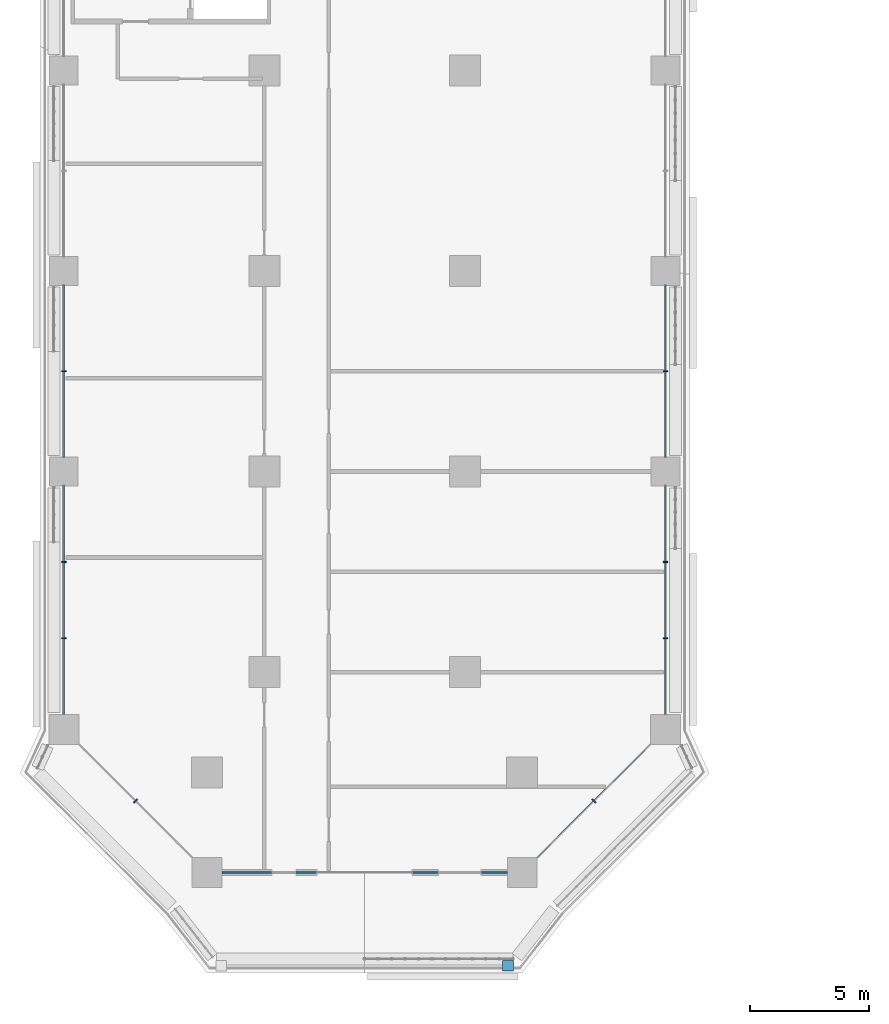
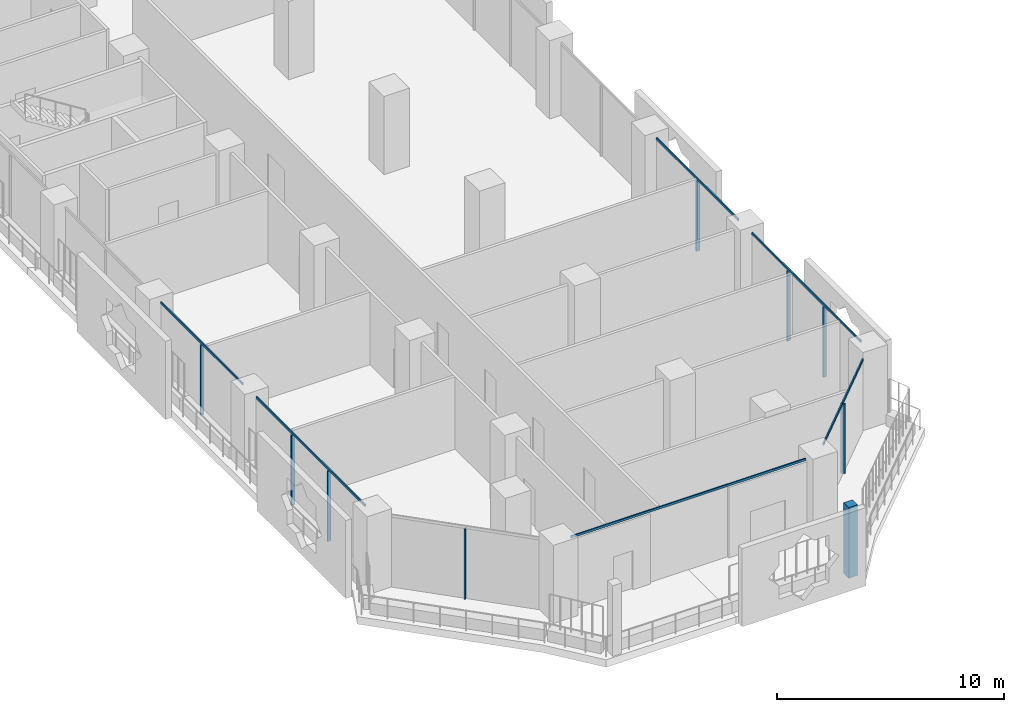
# One storey, part 2 of 27: 15 members, 6 elements without a shape of their own.
"""IFC4 building model written with IfcOpenShell, lengths in metres."""

from ifc_helpers import new_model, si_unit, direction, frame, origin, origin_2d, place, context, subcontext, project, spatial, rectangle, extrude, material, layer, layer_set, material_profile, profile_set, type_object, element, aggregate, save


model = new_model("IFC4")

# Units and contexts
model_context = context("Model", 3, precision=1e-05, world=origin(), true_north=direction((0.0, 1.0)))
body_context = subcontext(model_context, "Body", "Model", "MODEL_VIEW")
ifc_project = project(units=[si_unit("LENGTHUNIT", "METRE"), si_unit("AREAUNIT", "SQUARE_METRE"), si_unit("VOLUMEUNIT", "CUBIC_METRE"), si_unit("PLANEANGLEUNIT", "RADIAN"), si_unit("MASSUNIT", "GRAM", prefix="KILO")], contexts=[model_context])

# Site, building, storey
site_placement = place(None, origin())
site = spatial("IfcSite", under=ifc_project, at=site_placement, CompositionType="ELEMENT")
building_placement = place(site_placement, origin())
building = spatial("IfcBuilding", under=site, at=building_placement, Name="Kawkab Arch Medical Tower", CompositionType="ELEMENT")
storey_placement = place(building_placement, frame((0.0, 0.0, 43.39990234375)))
storey = spatial("IfcBuildingStorey", under=building, at=storey_placement, Name="L09", CompositionType="ELEMENT", Elevation=43.39990234375)

# Curtain wall, members
ifc_material_1 = material(Name="Bronze anodised aluminium curtain wall frame", Category="aluminium")
ifc_layer_1 = layer(ifc_material_1, 0.159912109375)
ifc_layer_set_1 = layer_set([ifc_layer_1], Name="Bronze anodised aluminium curtain wall frame")
curtain_wall_type_1 = type_object("IfcCurtainWallType", Name="CW1 ward curtain wall", PredefinedType="NOTDEFINED", material=ifc_layer_set_1)
placement = place(storey_placement, origin())
curtain_wall_1 = element("IfcCurtainWall", 1, at=placement, inside=storey, type_object=curtain_wall_type_1, Name="CW1 Ward curtain wall R11", PredefinedType="NOTDEFINED")
ifc_material_2 = material(Name="Bronze anodised aluminium curtain wall frame", Category="aluminium")
ifc_material_profile_1 = material_profile(ifc_material_2, rectangle(XDim=0.179931640625, YDim=0.06005859375, at=origin_2d()), Name="AL 60x180")
ifc_profile_set_1 = profile_set([ifc_material_profile_1], Name="Bronze anodised aluminium curtain wall frame")
member_type_1 = type_object("IfcMemberType", Name="CW1 mullion 60 x 180", PredefinedType="MULLION", material=ifc_profile_set_1)
member_1_placement = place(storey_placement, frame((0.0, -54.60009765625, 0.0), z_axis=(0.0, 0.0, 1.0), x_axis=(1.0, 0.0, 0.0)))
member_1 = element("IfcMember", 2, at=member_1_placement, type_object=member_type_1, Name="CW1 mullion 6.1", PredefinedType="MULLION", context=body_context, shape_type="SweptSolid", body=[
    extrude(rectangle(XDim=0.179931640625, YDim=0.06005859375, at=origin_2d()), origin(), (0.0, 0.0, 1.0), 3.780029296875),
])
member_2_placement = place(storey_placement, frame((0.0, -62.591552734375, 0.0), z_axis=(0.0, 0.0, 1.0), x_axis=(1.0, 0.0, 0.0)))
member_2 = element("IfcMember", 3, at=member_2_placement, type_object=member_type_1, Name="CW1 mullion 7.1", PredefinedType="MULLION", context=body_context, shape_type="SweptSolid", body=[
    extrude(rectangle(XDim=0.179931640625, YDim=0.06005859375, at=origin_2d()), origin(), (0.0, 0.0, 1.0), 3.780029296875),
])
member_3_placement = place(storey_placement, frame((0.0, -65.783447265625, 0.0), z_axis=(0.0, 0.0, 1.0), x_axis=(1.0, 0.0, 0.0)))
member_3 = element("IfcMember", 4, at=member_3_placement, type_object=member_type_1, Name="CW1 mullion 7.2", PredefinedType="MULLION", context=body_context, shape_type="SweptSolid", body=[
    extrude(rectangle(XDim=0.179931640625, YDim=0.06005859375, at=origin_2d()), origin(), (0.0, 0.0, 1.0), 3.780029296875),
])

curtain_wall_2 = element("IfcCurtainWall", 5, at=placement, inside=storey, type_object=curtain_wall_type_1, Name="CW1 Ward curtain wall R15", PredefinedType="NOTDEFINED")
member_4_placement = place(storey_placement, frame((25.199951171875, -65.783447265625, 0.0), z_axis=(0.0, 0.0, 1.0), x_axis=(-1.0, 0.0, 0.0)))
member_4 = element("IfcMember", 6, at=member_4_placement, type_object=member_type_1, Name="CW1 mullion 1.1", PredefinedType="MULLION", context=body_context, shape_type="SweptSolid", body=[
    extrude(rectangle(XDim=0.179931640625, YDim=0.06005859375, at=origin_2d()), origin(), (0.0, 0.0, 1.0), 3.780029296875),
])
member_5_placement = place(storey_placement, frame((25.199951171875, -62.591552734375, 0.0), z_axis=(0.0, 0.0, 1.0), x_axis=(-1.0, 0.0, 0.0)))
member_5 = element("IfcMember", 7, at=member_5_placement, type_object=member_type_1, Name="CW1 mullion 1.2", PredefinedType="MULLION", context=body_context, shape_type="SweptSolid", body=[
    extrude(rectangle(XDim=0.179931640625, YDim=0.06005859375, at=origin_2d()), origin(), (0.0, 0.0, 1.0), 3.780029296875),
])
member_6_placement = place(storey_placement, frame((25.199951171875, -54.60009765625, 0.0), z_axis=(0.0, 0.0, 1.0), x_axis=(-1.0, 0.0, 0.0)))
member_6 = element("IfcMember", 8, at=member_6_placement, type_object=member_type_1, Name="CW1 mullion 2.1", PredefinedType="MULLION", context=body_context, shape_type="SweptSolid", body=[
    extrude(rectangle(XDim=0.179931640625, YDim=0.06005859375, at=origin_2d()), origin(), (0.0, 0.0, 1.0), 3.780029296875),
])

# Member
ifc_material_3 = material(Name="Bronze anodised aluminium curtain wall frame", Category="aluminium")
ifc_material_profile_2 = material_profile(ifc_material_3, rectangle(XDim=0.06005859375, YDim=0.1201171875, at=origin_2d()), Name="AL 60x120")
ifc_profile_set_2 = profile_set([ifc_material_profile_2], Name="Bronze anodised aluminium curtain wall frame")
member_type_2 = type_object("IfcMemberType", Name="CW1 transom 120 x 60", PredefinedType="USERDEFINED", material=ifc_profile_set_2)
member_7_placement = place(storey_placement, frame((0.0, -51.0, 3.840087890625), z_axis=(0.0, -1.0, 0.0), x_axis=(1.0, 0.0, 0.0)))
member_7 = element("IfcMember", 9, at=member_7_placement, type_object=member_type_2, Name="CW1 transom 6", ObjectType="TRANSOM", PredefinedType="USERDEFINED", context=body_context, shape_type="SweptSolid", body=[
    extrude(rectangle(XDim=0.06005859375, YDim=0.1201171875, at=origin_2d()), origin(), (0.0, 0.0, 1.0), 7.199951171875),
])

member_8_placement = place(storey_placement, frame((0.0, -59.39990234375, 3.840087890625), z_axis=(0.0, -1.0, 0.0), x_axis=(1.0, 0.0, 0.0)))
member_8 = element("IfcMember", 10, at=member_8_placement, type_object=member_type_2, Name="CW1 transom 7", ObjectType="TRANSOM", PredefinedType="USERDEFINED", context=body_context, shape_type="SweptSolid", body=[
    extrude(rectangle(XDim=0.06005859375, YDim=0.1201171875, at=origin_2d()), origin(), (0.0, 0.0, 1.0), 9.5751953125),
])

aggregate(curtain_wall_1, [member_7, member_1, member_8, member_2, member_3])

# Curtain wall, member
curtain_wall_3 = element("IfcCurtainWall", 11, at=placement, inside=storey, type_object=curtain_wall_type_1, Name="CW1 Ward curtain wall R13", PredefinedType="NOTDEFINED")
member_9_placement = place(storey_placement, frame((6.625, -75.60009765625, 3.840087890625), z_axis=(1.0, 0.0, 0.0), x_axis=(0.0, 1.0, 0.0)))
member_9 = element("IfcMember", 12, at=member_9_placement, type_object=member_type_2, Name="CW1 transom 1", ObjectType="TRANSOM", PredefinedType="USERDEFINED", context=body_context, shape_type="SweptSolid", body=[
    extrude(rectangle(XDim=0.06005859375, YDim=0.1201171875, at=origin_2d()), origin(), (0.0, 0.0, 1.0), 11.949951171875),
])
aggregate(curtain_wall_3, [member_9])

# Member
member_10_placement = place(storey_placement, frame((25.199951171875, -68.97509765625, 3.840087890625), z_axis=(0.0, 1.0, 0.0), x_axis=(-1.0, 0.0, 0.0)))
member_10 = element("IfcMember", 13, at=member_10_placement, type_object=member_type_2, Name="CW1 transom 1", ObjectType="TRANSOM", PredefinedType="USERDEFINED", context=body_context, shape_type="SweptSolid", body=[
    extrude(rectangle(XDim=0.06005859375, YDim=0.1201171875, at=origin_2d()), origin(), (0.0, 0.0, 1.0), 9.5751953125),
])

member_11_placement = place(storey_placement, frame((25.199951171875, -58.199951171875, 3.840087890625), z_axis=(0.0, 1.0, 0.0), x_axis=(-1.0, 0.0, 0.0)))
member_11 = element("IfcMember", 14, at=member_11_placement, type_object=member_type_2, Name="CW1 transom 2", ObjectType="TRANSOM", PredefinedType="USERDEFINED", context=body_context, shape_type="SweptSolid", body=[
    extrude(rectangle(XDim=0.06005859375, YDim=0.1201171875, at=origin_2d()), origin(), (0.0, 0.0, 1.0), 7.199951171875),
])

aggregate(curtain_wall_2, [member_10, member_4, member_5, member_11, member_6])

# Curtain wall, member
ifc_material_4 = material(Name="Bronze anodised aluminium curtain wall frame", Category="aluminium")
ifc_layer_2 = layer(ifc_material_4, 0.159912109375)
ifc_layer_set_2 = layer_set([ifc_layer_2], Name="Bronze anodised aluminium curtain wall frame")
curtain_wall_type_2 = type_object("IfcCurtainWallType", Name="CW2 chamfer curtain wall", PredefinedType="NOTDEFINED", material=ifc_layer_set_2)
curtain_wall_4 = element("IfcCurtainWall", 15, at=placement, inside=storey, type_object=curtain_wall_type_2, Name="CW2 Chamfer curtain wall R12", PredefinedType="NOTDEFINED")
ifc_material_5 = material(Name="Bronze anodised aluminium curtain wall frame", Category="aluminium")
ifc_material_profile_3 = material_profile(ifc_material_5, rectangle(XDim=0.199951171875, YDim=0.06005859375, at=origin_2d()), Name="AL 60x200")
ifc_profile_set_3 = profile_set([ifc_material_profile_3], Name="Bronze anodised aluminium curtain wall frame")
member_type_3 = type_object("IfcMemberType", Name="CW2 mullion 60 x 200", PredefinedType="MULLION", material=ifc_profile_set_3)
member_12_placement = place(storey_placement, frame((3.0, -72.60009765625, 0.0), z_axis=(0.0, 0.0, 1.0), x_axis=(0.707106781187, 0.707106781187, 0.0)))
member_12 = element("IfcMember", 16, at=member_12_placement, type_object=member_type_3, Name="CW2 mullion 1.1", PredefinedType="MULLION", context=body_context, shape_type="SweptSolid", body=[
    extrude(rectangle(XDim=0.199951171875, YDim=0.06005859375, at=origin_2d()), origin(), (0.0, 0.0, 1.0), 3.760009765625),
])
aggregate(curtain_wall_4, [member_12])

# Curtain wall, members
curtain_wall_5 = element("IfcCurtainWall", 17, at=placement, inside=storey, type_object=curtain_wall_type_2, Name="CW2 Chamfer curtain wall R14", PredefinedType="NOTDEFINED")
member_13_placement = place(storey_placement, frame((22.199951171875, -72.60009765625, 0.0), z_axis=(0.0, 0.0, 1.0), x_axis=(-0.707106781187, 0.707106781187, 0.0)))
member_13 = element("IfcMember", 18, at=member_13_placement, type_object=member_type_3, Name="CW2 mullion 1.1", PredefinedType="MULLION", context=body_context, shape_type="SweptSolid", body=[
    extrude(rectangle(XDim=0.199951171875, YDim=0.06005859375, at=origin_2d()), origin(), (0.0, 0.0, 1.0), 3.760009765625),
])
ifc_material_6 = material(Name="Bronze anodised aluminium curtain wall frame", Category="aluminium")
ifc_material_profile_4 = material_profile(ifc_material_6, rectangle(XDim=0.06005859375, YDim=0.139892578125, at=origin_2d()), Name="AL 60x140")
ifc_profile_set_4 = profile_set([ifc_material_profile_4], Name="Bronze anodised aluminium curtain wall frame")
member_type_4 = type_object("IfcMemberType", Name="CW2 transom 140 x 60", PredefinedType="USERDEFINED", material=ifc_profile_set_4)
member_14_placement = place(storey_placement, frame((19.824951171875, -74.97509765625, 3.830078125), z_axis=(0.707106781187, 0.707106781187, 0.0), x_axis=(-0.707106781187, 0.707106781187, 0.0)))
member_14 = element("IfcMember", 19, at=member_14_placement, type_object=member_type_4, Name="CW2 transom 1", ObjectType="TRANSOM", PredefinedType="USERDEFINED", context=body_context, shape_type="SweptSolid", body=[
    extrude(rectangle(XDim=0.06005859375, YDim=0.139892578125, at=origin_2d()), origin(), (0.0, 0.0, 1.0), 6.717529296875),
])
aggregate(curtain_wall_5, [member_14, member_13])

# Curtain wall, member
ifc_material_7 = material(Name="Bronze anodised aluminium climber frame, planted", Category="aluminium")
ifc_layer_3 = layer(ifc_material_7, 0.449951171875)
ifc_layer_set_3 = layer_set([ifc_layer_3], Name="Bronze anodised aluminium climber frame, planted")
curtain_wall_type_3 = type_object("IfcCurtainWallType", Name="Planted climber frame", PredefinedType="NOTDEFINED", material=ifc_layer_set_3)
curtain_wall_6 = element("IfcCurtainWall", 20, at=placement, inside=storey, type_object=curtain_wall_type_3, Name="Planted climber frame L09", PredefinedType="NOTDEFINED")
ifc_material_8 = material(Name="Bronze anodised aluminium climber frame, planted", Category="aluminium")
ifc_material_profile_5 = material_profile(ifc_material_8, rectangle(XDim=0.449951171875, YDim=0.449951171875, at=origin_2d()), Name="Post 450x450")
ifc_profile_set_5 = profile_set([ifc_material_profile_5], Name="Bronze anodised aluminium climber frame, planted")
member_type_5 = type_object("IfcMemberType", Name="Planted climber post 450 x 450", PredefinedType="MULLION", material=ifc_profile_set_5)
member_15_placement = place(storey_placement, frame((18.60302734375, -79.5, 0.0), z_axis=(0.0, 0.0, 1.0), x_axis=(1.0, 0.0, 0.0)))
member_15 = element("IfcMember", 21, at=member_15_placement, type_object=member_type_5, Name="Planted climber post L09.LOG-01-02.1", PredefinedType="MULLION", context=body_context, shape_type="SweptSolid", body=[
    extrude(rectangle(XDim=0.449951171875, YDim=0.449951171875, at=origin_2d()), origin(), (0.0, 0.0, 1.0), 3.800048828125),
])
aggregate(curtain_wall_6, [member_15])

save(model, "model.ifc")
